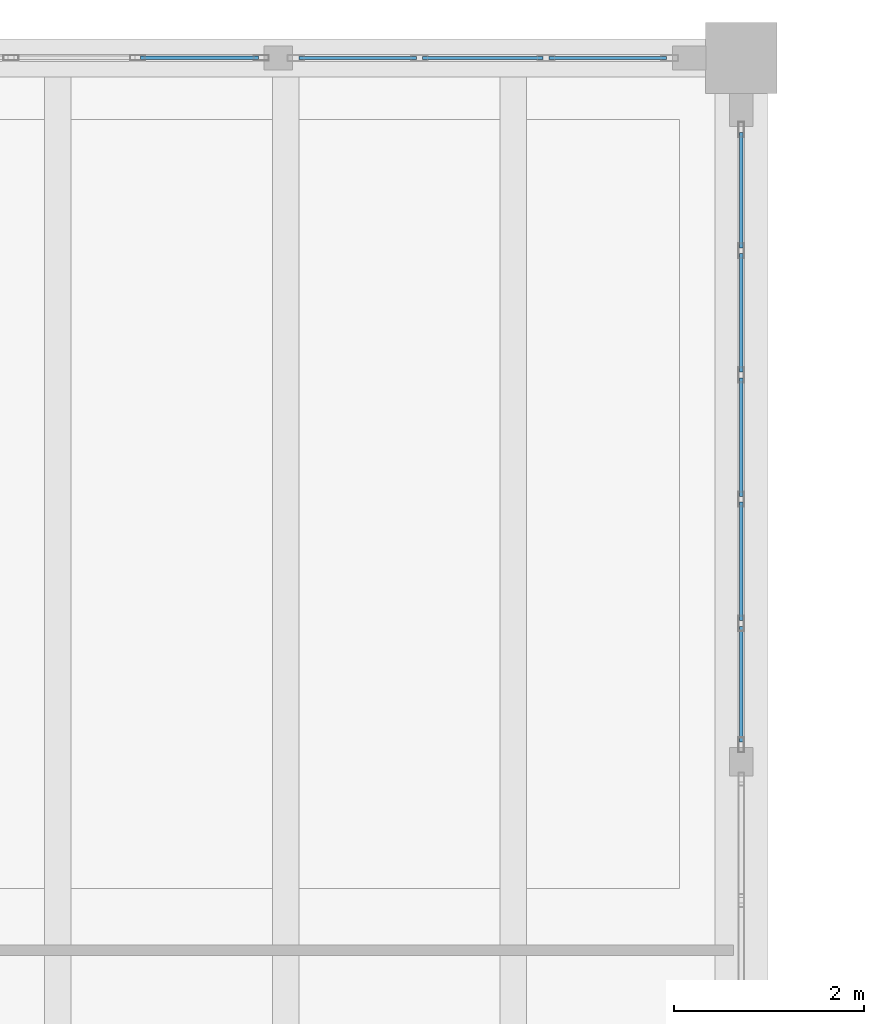
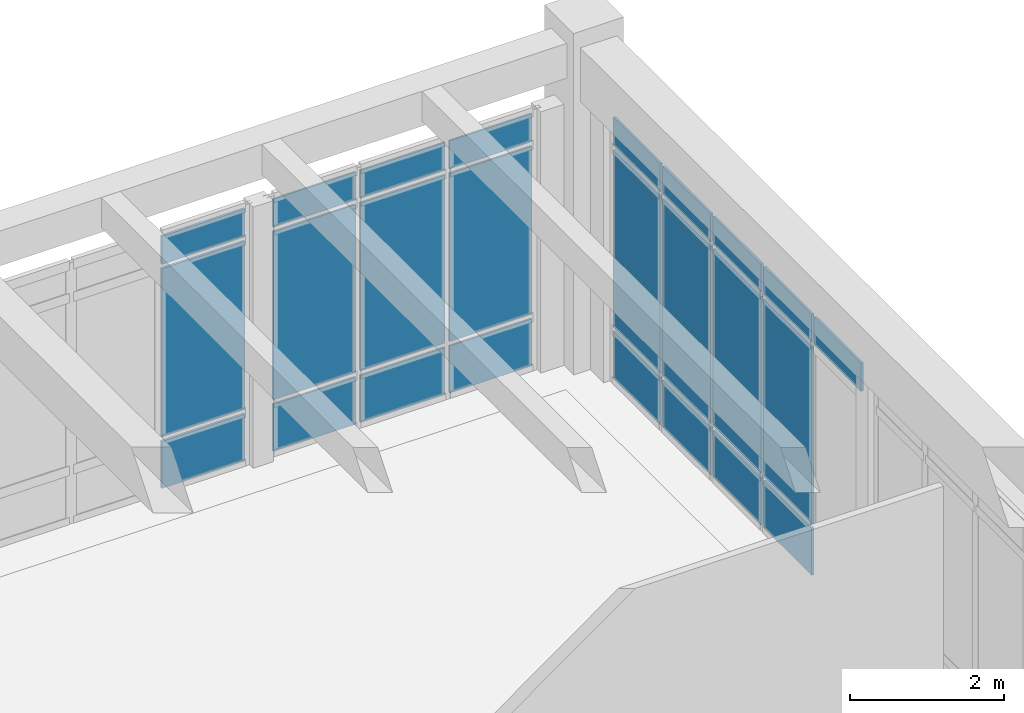
# One storey, part 102 of 138: 25 plates, 3 elements without a shape of their own.
"""IFC4 building model written with IfcOpenShell, lengths in metres."""

from ifc_helpers import new_model, si_unit, direction, frame, origin, origin_2d, place, context, subcontext, project, spatial, rectangle, extrude, material, layer, layer_set, type_object, element, aggregate, save


model = new_model("IFC4")

# Units and contexts
model_context = context("Model", 3, precision=1e-05, world=origin(), true_north=direction((0.0, 1.0)))
body_context = subcontext(model_context, "Body", "Model", "MODEL_VIEW")
ifc_project = project(units=[si_unit("LENGTHUNIT", "METRE"), si_unit("AREAUNIT", "SQUARE_METRE"), si_unit("VOLUMEUNIT", "CUBIC_METRE"), si_unit("PLANEANGLEUNIT", "RADIAN"), si_unit("MASSUNIT", "GRAM", prefix="KILO")], contexts=[model_context])

# Site, building, storey
site_placement = place(None, origin())
site = spatial("IfcSite", under=ifc_project, at=site_placement, CompositionType="ELEMENT")
building_placement = place(site_placement, origin())
building = spatial("IfcBuilding", under=site, at=building_placement, Name="Fikremerkos Civic Library", CompositionType="ELEMENT")
storey_placement = place(building_placement, origin())
storey = spatial("IfcBuildingStorey", under=building, at=storey_placement, Name="L00", CompositionType="ELEMENT", Elevation=0.0)

# Curtain wall, plates
ifc_material_1 = material(Name="Anodized aluminium Frame", Category="aluminium")
ifc_layer_1 = layer(ifc_material_1, 0.159912109375, Name="Anodized aluminium Frame")
ifc_layer_set_1 = layer_set([ifc_layer_1], Name="Anodized aluminium Frame")
curtain_wall_type_1 = type_object("IfcCurtainWallType", Name="Unitised curtain wall CW-01 3600x3600", PredefinedType="USERDEFINED", material=ifc_layer_set_1)
curtain_wall_1_placement = place(storey_placement, origin())
curtain_wall_1 = element("IfcCurtainWall", 1, at=curtain_wall_1_placement, inside=storey, type_object=curtain_wall_type_1, Name="Unitised curtain wall CW-01 L00 #55", ObjectType="UNITISED CURTAIN WALL", PredefinedType="USERDEFINED")
ifc_material_2 = material(Name="Solar control double glazing", Category="glass")
ifc_layer_2 = layer(ifc_material_2, 0.028076171875, Name="Solar control double glazing")
ifc_layer_set_2 = layer_set([ifc_layer_2], Name="Solar control double glazing")
plate_type_1 = type_object("IfcPlateType", Name="Curtain glazing panel CWP-01 28", PredefinedType="CURTAIN_PANEL", material=ifc_layer_set_2)
plate_1_placement = place(storey_placement, frame((130.358154296875, 117.60009765625, 0.06982421875), z_axis=(0.0, 0.0, 1.0), x_axis=(1.0, 0.0, 0.0)))
plate_1 = element("IfcPlate", 2, at=plate_1_placement, type_object=plate_type_1, Name="CW-01 panel 1.1", PredefinedType="CURTAIN_PANEL", context=body_context, shape_type="SweptSolid", body=[
    extrude(rectangle(XDim=1.236572265625, YDim=0.028076171875, at=origin_2d()), origin(), (0.0, 0.0, 1.0), 0.7451171875),
])
plate_2_placement = place(storey_placement, frame((130.358154296875, 117.60009765625, 0.88525390625), z_axis=(0.0, 0.0, 1.0), x_axis=(1.0, 0.0, 0.0)))
plate_2 = element("IfcPlate", 3, at=plate_2_placement, type_object=plate_type_1, Name="CW-01 panel 1.2", PredefinedType="CURTAIN_PANEL", context=body_context, shape_type="SweptSolid", body=[
    extrude(rectangle(XDim=1.236572265625, YDim=0.028076171875, at=origin_2d()), origin(), (0.0, 0.0, 1.0), 2.659912109375),
])
plate_3_placement = place(storey_placement, frame((130.358154296875, 117.60009765625, 3.61474609375), z_axis=(0.0, 0.0, 1.0), x_axis=(1.0, 0.0, 0.0)))
plate_3 = element("IfcPlate", 4, at=plate_3_placement, type_object=plate_type_1, Name="CW-01 panel 1.3", PredefinedType="CURTAIN_PANEL", context=body_context, shape_type="SweptSolid", body=[
    extrude(rectangle(XDim=1.236572265625, YDim=0.028076171875, at=origin_2d()), origin(), (0.0, 0.0, 1.0), 0.445068359375),
])
plate_4_placement = place(storey_placement, frame((131.676025390625, 117.60009765625, 0.06982421875), z_axis=(0.0, 0.0, 1.0), x_axis=(1.0, 0.0, 0.0)))
plate_4 = element("IfcPlate", 5, at=plate_4_placement, type_object=plate_type_1, Name="CW-01 panel 2.1", PredefinedType="CURTAIN_PANEL", context=body_context, shape_type="SweptSolid", body=[
    extrude(rectangle(XDim=1.26904296875, YDim=0.028076171875, at=origin_2d()), origin(), (0.0, 0.0, 1.0), 0.7451171875),
])
plate_5_placement = place(storey_placement, frame((131.676025390625, 117.60009765625, 0.88525390625), z_axis=(0.0, 0.0, 1.0), x_axis=(1.0, 0.0, 0.0)))
plate_5 = element("IfcPlate", 6, at=plate_5_placement, type_object=plate_type_1, Name="CW-01 panel 2.2", PredefinedType="CURTAIN_PANEL", context=body_context, shape_type="SweptSolid", body=[
    extrude(rectangle(XDim=1.26904296875, YDim=0.028076171875, at=origin_2d()), origin(), (0.0, 0.0, 1.0), 2.659912109375),
])
plate_6_placement = place(storey_placement, frame((131.676025390625, 117.60009765625, 3.61474609375), z_axis=(0.0, 0.0, 1.0), x_axis=(1.0, 0.0, 0.0)))
plate_6 = element("IfcPlate", 7, at=plate_6_placement, type_object=plate_type_1, Name="CW-01 panel 2.3", PredefinedType="CURTAIN_PANEL", context=body_context, shape_type="SweptSolid", body=[
    extrude(rectangle(XDim=1.26904296875, YDim=0.028076171875, at=origin_2d()), origin(), (0.0, 0.0, 1.0), 0.445068359375),
])
plate_7_placement = place(storey_placement, frame((132.99365234375, 117.60009765625, 0.06982421875), z_axis=(0.0, 0.0, 1.0), x_axis=(1.0, 0.0, 0.0)))
plate_7 = element("IfcPlate", 8, at=plate_7_placement, type_object=plate_type_1, Name="CW-01 panel 3.1", PredefinedType="CURTAIN_PANEL", context=body_context, shape_type="SweptSolid", body=[
    extrude(rectangle(XDim=1.236572265625, YDim=0.028076171875, at=origin_2d()), origin(), (0.0, 0.0, 1.0), 0.7451171875),
])
plate_8_placement = place(storey_placement, frame((132.99365234375, 117.60009765625, 0.88525390625), z_axis=(0.0, 0.0, 1.0), x_axis=(1.0, 0.0, 0.0)))
plate_8 = element("IfcPlate", 9, at=plate_8_placement, type_object=plate_type_1, Name="CW-01 panel 3.2", PredefinedType="CURTAIN_PANEL", context=body_context, shape_type="SweptSolid", body=[
    extrude(rectangle(XDim=1.236572265625, YDim=0.028076171875, at=origin_2d()), origin(), (0.0, 0.0, 1.0), 2.659912109375),
])
plate_9_placement = place(storey_placement, frame((132.99365234375, 117.60009765625, 3.61474609375), z_axis=(0.0, 0.0, 1.0), x_axis=(1.0, 0.0, 0.0)))
plate_9 = element("IfcPlate", 10, at=plate_9_placement, type_object=plate_type_1, Name="CW-01 panel 3.3", PredefinedType="CURTAIN_PANEL", context=body_context, shape_type="SweptSolid", body=[
    extrude(rectangle(XDim=1.236572265625, YDim=0.028076171875, at=origin_2d()), origin(), (0.0, 0.0, 1.0), 0.445068359375),
])
aggregate(curtain_wall_1, [plate_1, plate_2, plate_3, plate_4, plate_5, plate_6, plate_7, plate_8, plate_9])

ifc_layer_3 = layer(ifc_material_1, 0.159912109375, Name="Anodized aluminium Frame")
ifc_layer_set_3 = layer_set([ifc_layer_3], Name="Anodized aluminium Frame")
curtain_wall_type_2 = type_object("IfcCurtainWallType", Name="Unitised curtain wall CW-18 2700x3400", PredefinedType="USERDEFINED", material=ifc_layer_set_3)
curtain_wall_2_placement = place(storey_placement, origin())
curtain_wall_2 = element("IfcCurtainWall", 11, at=curtain_wall_2_placement, inside=storey, type_object=curtain_wall_type_2, Name="Unitised curtain wall CW-18 L00 #54", ObjectType="UNITISED CURTAIN WALL", PredefinedType="USERDEFINED")
ifc_layer_4 = layer(ifc_material_2, 0.035888671875, Name="Solar control double glazing")
ifc_layer_set_4 = layer_set([ifc_layer_4], Name="Solar control double glazing")
plate_type_2 = type_object("IfcPlateType", Name="Curtain glazing panel CWP-02 36", PredefinedType="CURTAIN_PANEL", material=ifc_layer_set_4)
plate_10_placement = place(storey_placement, frame((128.693115234375, 117.60009765625, 0.06982421875), z_axis=(0.0, 0.0, 1.0), x_axis=(1.0, 0.0, 0.0)))
plate_10 = element("IfcPlate", 12, at=plate_10_placement, type_object=plate_type_2, Name="CW-18 panel 3.1", PredefinedType="CURTAIN_PANEL", context=body_context, shape_type="SweptSolid", body=[
    extrude(rectangle(XDim=1.243896484375, YDim=0.035888671875, at=origin_2d()), origin(), (0.0, 0.0, 1.0), 0.7451171875),
])
plate_11_placement = place(storey_placement, frame((128.693115234375, 117.60009765625, 0.88525390625), z_axis=(0.0, 0.0, 1.0), x_axis=(1.0, 0.0, 0.0)))
plate_11 = element("IfcPlate", 13, at=plate_11_placement, type_object=plate_type_2, Name="CW-18 panel 3.2", PredefinedType="CURTAIN_PANEL", context=body_context, shape_type="SweptSolid", body=[
    extrude(rectangle(XDim=1.243896484375, YDim=0.035888671875, at=origin_2d()), origin(), (0.0, 0.0, 1.0), 2.659912109375),
])
plate_12_placement = place(storey_placement, frame((128.693115234375, 117.60009765625, 3.61474609375), z_axis=(0.0, 0.0, 1.0), x_axis=(1.0, 0.0, 0.0)))
plate_12 = element("IfcPlate", 14, at=plate_12_placement, type_object=plate_type_2, Name="CW-18 panel 3.3", PredefinedType="CURTAIN_PANEL", context=body_context, shape_type="SweptSolid", body=[
    extrude(rectangle(XDim=1.243896484375, YDim=0.035888671875, at=origin_2d()), origin(), (0.0, 0.0, 1.0), 0.445068359375),
])
aggregate(curtain_wall_2, [plate_10, plate_11, plate_12])

ifc_layer_5 = layer(ifc_material_1, 0.159912109375, Name="Anodized aluminium Frame")
ifc_layer_set_5 = layer_set([ifc_layer_5], Name="Anodized aluminium Frame")
curtain_wall_type_3 = type_object("IfcCurtainWallType", Name="Unitised curtain wall CW-02 3900x3600", PredefinedType="USERDEFINED", material=ifc_layer_set_5)
curtain_wall_3_placement = place(storey_placement, origin())
curtain_wall_3 = element("IfcCurtainWall", 15, at=curtain_wall_3_placement, inside=storey, type_object=curtain_wall_type_3, Name="Unitised curtain wall CW-02 L00 #56", ObjectType="UNITISED CURTAIN WALL", PredefinedType="USERDEFINED")
plate_13_placement = place(storey_placement, frame((134.39990234375, 116.207763671875, 0.06982421875), z_axis=(0.0, 0.0, 1.0), x_axis=(0.0, -1.0, 0.0)))
plate_13 = element("IfcPlate", 16, at=plate_13_placement, type_object=plate_type_2, Name="CW-02 panel 1.1", PredefinedType="CURTAIN_PANEL", context=body_context, shape_type="SweptSolid", body=[
    extrude(rectangle(XDim=1.218505859375, YDim=0.035888671875, at=origin_2d()), origin(), (0.0, 0.0, 1.0), 0.7451171875),
])
plate_14_placement = place(storey_placement, frame((134.39990234375, 116.207763671875, 0.884765625), z_axis=(0.0, 0.0, 1.0), x_axis=(0.0, -1.0, 0.0)))
plate_14 = element("IfcPlate", 17, at=plate_14_placement, type_object=plate_type_2, Name="CW-02 panel 1.2", PredefinedType="CURTAIN_PANEL", context=body_context, shape_type="SweptSolid", body=[
    extrude(rectangle(XDim=1.218505859375, YDim=0.035888671875, at=origin_2d()), origin(), (0.0, 0.0, 1.0), 2.800048828125),
])
plate_15_placement = place(storey_placement, frame((134.39990234375, 116.207763671875, 3.7548828125), z_axis=(0.0, 0.0, 1.0), x_axis=(0.0, -1.0, 0.0)))
plate_15 = element("IfcPlate", 18, at=plate_15_placement, type_object=plate_type_2, Name="CW-02 panel 1.3", PredefinedType="CURTAIN_PANEL", context=body_context, shape_type="SweptSolid", body=[
    extrude(rectangle(XDim=1.218505859375, YDim=0.035888671875, at=origin_2d()), origin(), (0.0, 0.0, 1.0), 0.445068359375),
])
plate_16_placement = place(storey_placement, frame((134.39990234375, 114.9140625, 0.06982421875), z_axis=(0.0, 0.0, 1.0), x_axis=(0.0, -1.0, 0.0)))
plate_16 = element("IfcPlate", 19, at=plate_16_placement, type_object=plate_type_2, Name="CW-02 panel 2.1", PredefinedType="CURTAIN_PANEL", context=body_context, shape_type="SweptSolid", body=[
    extrude(rectangle(XDim=1.24853515625, YDim=0.035888671875, at=origin_2d()), origin(), (0.0, 0.0, 1.0), 0.7451171875),
])
plate_17_placement = place(storey_placement, frame((134.39990234375, 114.9140625, 0.884765625), z_axis=(0.0, 0.0, 1.0), x_axis=(0.0, -1.0, 0.0)))
plate_17 = element("IfcPlate", 20, at=plate_17_placement, type_object=plate_type_2, Name="CW-02 panel 2.2", PredefinedType="CURTAIN_PANEL", context=body_context, shape_type="SweptSolid", body=[
    extrude(rectangle(XDim=1.24853515625, YDim=0.035888671875, at=origin_2d()), origin(), (0.0, 0.0, 1.0), 2.800048828125),
])
plate_18_placement = place(storey_placement, frame((134.39990234375, 114.9140625, 3.7548828125), z_axis=(0.0, 0.0, 1.0), x_axis=(0.0, -1.0, 0.0)))
plate_18 = element("IfcPlate", 21, at=plate_18_placement, type_object=plate_type_2, Name="CW-02 panel 2.3", PredefinedType="CURTAIN_PANEL", context=body_context, shape_type="SweptSolid", body=[
    extrude(rectangle(XDim=1.24853515625, YDim=0.035888671875, at=origin_2d()), origin(), (0.0, 0.0, 1.0), 0.445068359375),
])
plate_19_placement = place(storey_placement, frame((134.39990234375, 113.60546875, 0.06982421875), z_axis=(0.0, 0.0, 1.0), x_axis=(0.0, -1.0, 0.0)))
plate_19 = element("IfcPlate", 22, at=plate_19_placement, type_object=plate_type_2, Name="CW-02 panel 3.1", PredefinedType="CURTAIN_PANEL", context=body_context, shape_type="SweptSolid", body=[
    extrude(rectangle(XDim=1.24853515625, YDim=0.035888671875, at=origin_2d()), origin(), (0.0, 0.0, 1.0), 0.7451171875),
])
plate_20_placement = place(storey_placement, frame((134.39990234375, 113.60546875, 0.884765625), z_axis=(0.0, 0.0, 1.0), x_axis=(0.0, -1.0, 0.0)))
plate_20 = element("IfcPlate", 23, at=plate_20_placement, type_object=plate_type_2, Name="CW-02 panel 3.2", PredefinedType="CURTAIN_PANEL", context=body_context, shape_type="SweptSolid", body=[
    extrude(rectangle(XDim=1.24853515625, YDim=0.035888671875, at=origin_2d()), origin(), (0.0, 0.0, 1.0), 2.800048828125),
])
plate_21_placement = place(storey_placement, frame((134.39990234375, 113.60546875, 3.7548828125), z_axis=(0.0, 0.0, 1.0), x_axis=(0.0, -1.0, 0.0)))
plate_21 = element("IfcPlate", 24, at=plate_21_placement, type_object=plate_type_2, Name="CW-02 panel 3.3", PredefinedType="CURTAIN_PANEL", context=body_context, shape_type="SweptSolid", body=[
    extrude(rectangle(XDim=1.24853515625, YDim=0.035888671875, at=origin_2d()), origin(), (0.0, 0.0, 1.0), 0.445068359375),
])
plate_22_placement = place(storey_placement, frame((134.39990234375, 112.296875, 0.06982421875), z_axis=(0.0, 0.0, 1.0), x_axis=(0.0, -1.0, 0.0)))
plate_22 = element("IfcPlate", 25, at=plate_22_placement, type_object=plate_type_2, Name="CW-02 panel 4.1", PredefinedType="CURTAIN_PANEL", context=body_context, shape_type="SweptSolid", body=[
    extrude(rectangle(XDim=1.24853515625, YDim=0.035888671875, at=origin_2d()), origin(), (0.0, 0.0, 1.0), 0.7451171875),
])
plate_23_placement = place(storey_placement, frame((134.39990234375, 112.296875, 0.884765625), z_axis=(0.0, 0.0, 1.0), x_axis=(0.0, -1.0, 0.0)))
plate_23 = element("IfcPlate", 26, at=plate_23_placement, type_object=plate_type_2, Name="CW-02 panel 4.2", PredefinedType="CURTAIN_PANEL", context=body_context, shape_type="SweptSolid", body=[
    extrude(rectangle(XDim=1.24853515625, YDim=0.035888671875, at=origin_2d()), origin(), (0.0, 0.0, 1.0), 2.800048828125),
])
plate_24_placement = place(storey_placement, frame((134.39990234375, 112.296875, 3.7548828125), z_axis=(0.0, 0.0, 1.0), x_axis=(0.0, -1.0, 0.0)))
plate_24 = element("IfcPlate", 27, at=plate_24_placement, type_object=plate_type_2, Name="CW-02 panel 4.3", PredefinedType="CURTAIN_PANEL", context=body_context, shape_type="SweptSolid", body=[
    extrude(rectangle(XDim=1.24853515625, YDim=0.035888671875, at=origin_2d()), origin(), (0.0, 0.0, 1.0), 0.445068359375),
])
plate_25_placement = place(storey_placement, frame((134.39990234375, 111.00341796875, 3.7548828125), z_axis=(0.0, 0.0, 1.0), x_axis=(0.0, -1.0, 0.0)))
plate_25 = element("IfcPlate", 28, at=plate_25_placement, type_object=plate_type_2, Name="CW-02 panel 5.3", PredefinedType="CURTAIN_PANEL", context=body_context, shape_type="SweptSolid", body=[
    extrude(rectangle(XDim=1.218505859375, YDim=0.035888671875, at=origin_2d()), origin(), (0.0, 0.0, 1.0), 0.445068359375),
])
aggregate(curtain_wall_3, [plate_13, plate_14, plate_15, plate_16, plate_17, plate_18, plate_19, plate_20, plate_21, plate_22, plate_23, plate_24, plate_25])

save(model, "model.ifc")
